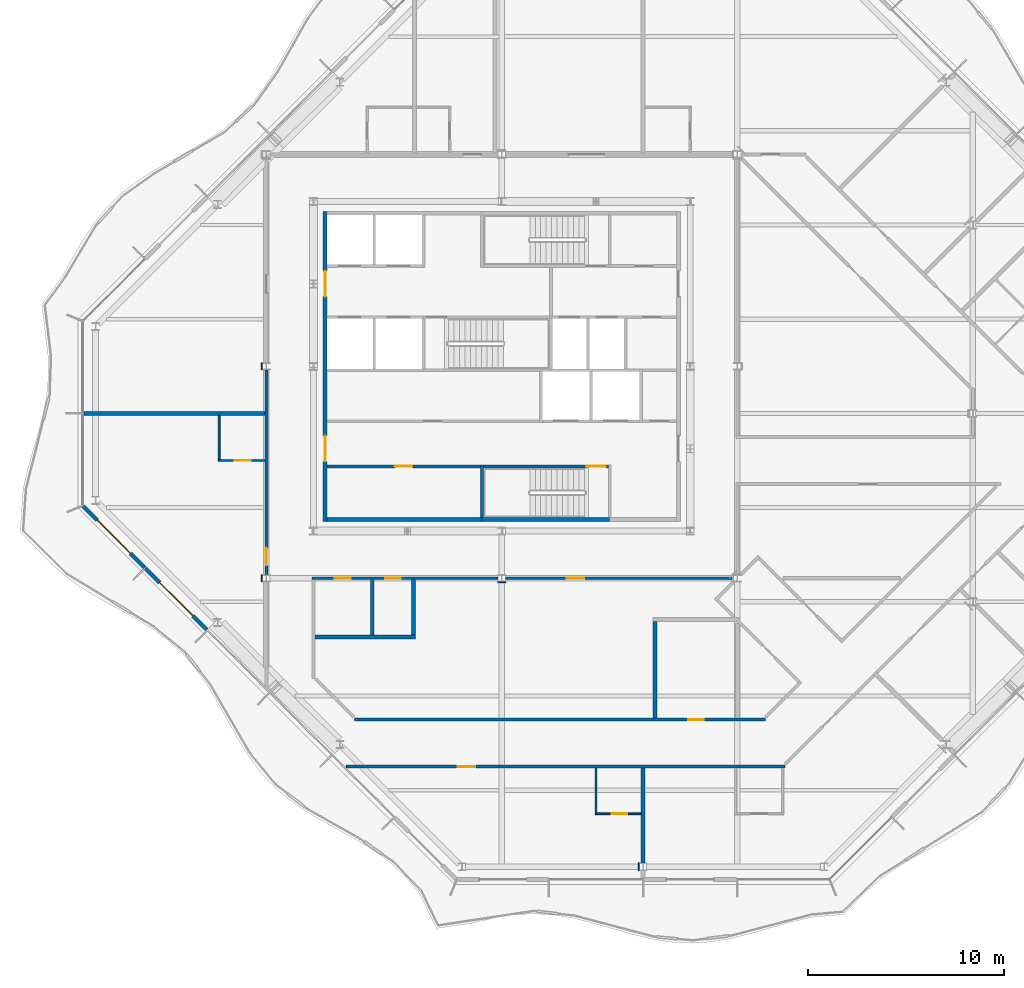
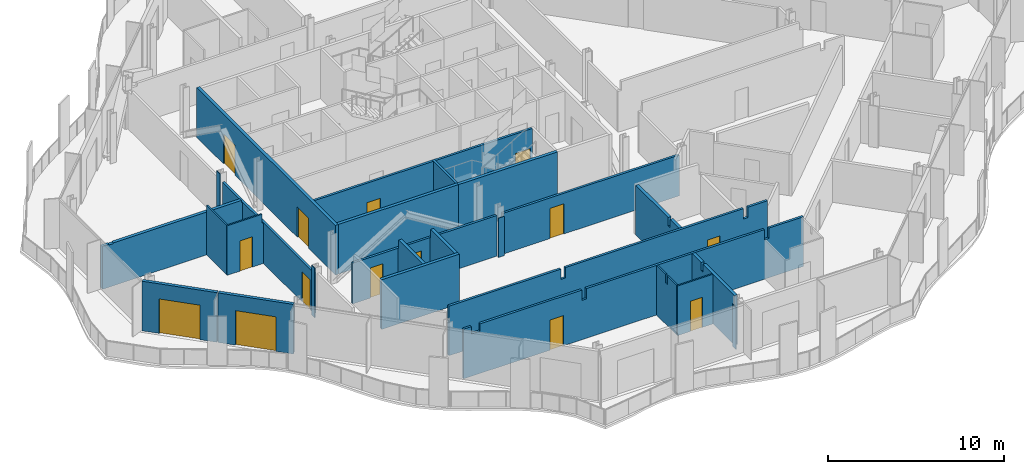
# One storey, part 7 of 17: 27 walls, 14 doors, 14 openings.
"""IFC4 building model written with IfcOpenShell, lengths in metres."""

from ifc_helpers import new_model, si_unit, direction, frame, frame_2d, origin, place, context, subcontext, project, spatial, polyline, rectangle, outline, extrude, material, layer, layer_set, type_object, element, fill, save


model = new_model("IFC4")

# Units and contexts
model_context = context("Model", 3, precision=1e-05, world=origin(), true_north=direction((0.0, 1.0)))
body_context = subcontext(model_context, "Body", "Model", "MODEL_VIEW")
ifc_project = project(units=[si_unit("LENGTHUNIT", "METRE"), si_unit("AREAUNIT", "SQUARE_METRE"), si_unit("VOLUMEUNIT", "CUBIC_METRE"), si_unit("PLANEANGLEUNIT", "RADIAN"), si_unit("MASSUNIT", "GRAM", prefix="KILO")], contexts=[model_context])

# Site, building, storey
site_placement = place(None, origin())
site = spatial("IfcSite", under=ifc_project, at=site_placement, CompositionType="ELEMENT")
building_placement = place(site_placement, origin())
building = spatial("IfcBuilding", under=site, at=building_placement, Name="Cairn Pilgrim Tower", CompositionType="ELEMENT")
storey_placement = place(building_placement, frame((0.0, 0.0, 235.800048828125)))
storey = spatial("IfcBuildingStorey", under=building, at=storey_placement, Name="L60", CompositionType="ELEMENT", Elevation=235.800048828125)

# Wall, opening, door
ifc_material_1 = material(Name="Bronze anodised aluminium insulated sandwich panel with mineral wool fill", Category="aluminium")
ifc_layer_1 = layer(ifc_material_1, 0.199951171875)
ifc_layer_set_1 = layer_set([ifc_layer_1], Name="BRONZE INFILL FRAME WALL 200")
wall_type_1 = type_object("IfcWallType", Name="BRONZE INFILL FRAME WALL 200", PredefinedType="NOTDEFINED", material=ifc_layer_set_1)
wall_1_placement = place(storey_placement, frame((-14.121826171875, -4.724609375, 0.0), z_axis=(0.0, 0.0, 1.0), x_axis=(0.707106781187, -0.707106781187, 0.0)))
wall_1 = element("IfcWall", 1, at=wall_1_placement, inside=storey, type_object=wall_type_1, Name="Bronze infill frame wall IW-SW1", PredefinedType="NOTDEFINED", context=body_context, shape_type="SweptSolid", body=[
    extrude(rectangle(XDim=4.421142578125, YDim=0.199951171875, at=frame_2d((2.21044921875, 0.0))), origin(), (0.0, 0.0, 1.0), 3.449951171875),
])
opening_1_placement = place(wall_1_placement, frame((1.00537109375, 0.0, 0.0)))
opening_1 = element("IfcOpeningElement", 2, at=opening_1_placement, cuts=wall_1, Name="Opening 6012B2", PredefinedType="OPENING", context=body_context, shape_type="SweptSolid", body=[
    extrude(rectangle(XDim=2.39990234375, YDim=2.39990234375, at=frame_2d((1.199951171875, 1.199951171875))), frame((0.0, 0.10986328125, 0.0), z_axis=(0.0, -1.0, 0.0), x_axis=(1.0, 0.0, 0.0)), (0.0, 0.0, 1.0), 0.219970703125),
])
ifc_material_2 = material(Name="Bronze anodised aluminium frame with tinted low-E glass", Category="aluminium")
door_type_1 = type_object("IfcDoorType", Name="BALCONY SLIDING DOOR 2400x2400", OperationType="DOUBLE_DOOR_SLIDING", PredefinedType="DOOR", material=ifc_material_2)
door_1_placement = place(opening_1_placement, origin())
door_1 = element("IfcDoor", 3, at=door_1_placement, inside=storey, type_object=door_type_1, Name="Balcony sliding door 6012B2", OperationType="SINGLE_SWING_LEFT", OverallHeight=2.39990234375, OverallWidth=2.39990234375, PredefinedType="DOOR", context=body_context, shape_type="SweptSolid", body=[
    extrude(rectangle(XDim=2.39990234375, YDim=2.39990234375, at=frame_2d((1.199951171875, 1.199951171875))), frame((0.0, 0.02490234375, 0.0), z_axis=(0.0, -1.0, 0.0), x_axis=(1.0, 0.0, 0.0)), (0.0, 0.0, 1.0), 0.050048828125),
])
fill(opening_1, door_1)

wall_2_placement = place(storey_placement, frame((-10.953125, -7.893310546875, 0.0), z_axis=(0.0, 0.0, 1.0), x_axis=(0.707106781187, -0.707106781187, 0.0)))
wall_2 = element("IfcWall", 4, at=wall_2_placement, inside=storey, type_object=wall_type_1, Name="Bronze infill frame wall IW-SW2", PredefinedType="NOTDEFINED", context=body_context, shape_type="SweptSolid", body=[
    extrude(rectangle(XDim=4.430908203125, YDim=0.199951171875, at=frame_2d((2.21533203125, 0.0))), origin(), (0.0, 0.0, 1.0), 3.449951171875),
])
opening_2_placement = place(wall_2_placement, frame((1.015380859375, 0.0, 0.0)))
opening_2 = element("IfcOpeningElement", 5, at=opening_2_placement, cuts=wall_2, Name="Opening 6012B", PredefinedType="OPENING", context=body_context, shape_type="SweptSolid", body=[
    extrude(rectangle(XDim=2.39990234375, YDim=2.39990234375, at=frame_2d((1.199951171875, 1.199951171875))), frame((0.0, 0.10986328125, 0.0), z_axis=(0.0, -1.0, 0.0), x_axis=(1.0, 0.0, 0.0)), (0.0, 0.0, 1.0), 0.219970703125),
])
door_2_placement = place(opening_2_placement, origin())
door_2 = element("IfcDoor", 6, at=door_2_placement, inside=storey, type_object=door_type_1, Name="Balcony sliding door 6012B", OperationType="SINGLE_SWING_LEFT", OverallHeight=2.39990234375, OverallWidth=2.39990234375, PredefinedType="DOOR", context=body_context, shape_type="SweptSolid", body=[
    extrude(rectangle(XDim=2.39990234375, YDim=2.39990234375, at=frame_2d((1.199951171875, 1.199951171875))), frame((0.0, 0.02490234375, 0.0), z_axis=(0.0, -1.0, 0.0), x_axis=(1.0, 0.0, 0.0)), (0.0, 0.0, 1.0), 0.050048828125),
])
fill(opening_2, door_2)

# Wall
ifc_material_3 = material(Name="Concrete C32/40", Category="concrete")
ifc_layer_2 = layer(ifc_material_3, 0.199951171875)
ifc_layer_set_2 = layer_set([ifc_layer_2], Name="CORE OUTER WALL 200 EI 120")
wall_type_2 = type_object("IfcWallType", Name="CORE OUTER WALL 200 EI 120", PredefinedType="SOLIDWALL", material=ifc_layer_set_2)
wall_3_placement = place(storey_placement, frame((-1.699951171875, -5.39990234375, 0.0), z_axis=(0.0, 0.0, 1.0), x_axis=(1.0, 0.0, 0.0)))
element("IfcWall", 7, at=wall_3_placement, inside=storey, type_object=wall_type_2, Name="CW:L60:H01-1", PredefinedType="SOLIDWALL", context=body_context, shape_type="SweptSolid", body=[
    extrude(rectangle(XDim=7.89990234375, YDim=0.199951171875, at=frame_2d((3.949951171875, 0.0))), origin(), (0.0, 0.0, 1.0), 3.449951171875),
])

# Wall, openings, doors
wall_4_placement = place(storey_placement, frame((-1.800048828125, -5.5, 0.0), z_axis=(0.0, 0.0, 1.0), x_axis=(0.0, 1.0, 0.0)))
wall_4 = element("IfcWall", 8, at=wall_4_placement, inside=storey, type_object=wall_type_2, Name="CW:L60:V13", PredefinedType="SOLIDWALL", context=body_context, shape_type="SweptSolid", body=[
    extrude(rectangle(XDim=15.800048828125, YDim=0.199951171875, at=frame_2d((7.89990234375, 0.0))), origin(), (0.0, 0.0, 1.0), 3.449951171875),
])
opening_3_placement = place(wall_4_placement, frame((3.050048828125, 0.0, 0.0)))
opening_3 = element("IfcOpeningElement", 9, at=opening_3_placement, cuts=wall_4, Name="Opening CD-W1", PredefinedType="OPENING", context=body_context, shape_type="SweptSolid", body=[
    extrude(rectangle(XDim=1.300048828125, YDim=2.10009765625, at=frame_2d((0.64990234375, 1.050048828125))), frame((0.0, 0.10986328125, 0.0), z_axis=(0.0, -1.0, 0.0), x_axis=(1.0, 0.0, 0.0)), (0.0, 0.0, 1.0), 0.219970703125),
])
opening_4_placement = place(wall_4_placement, frame((11.449951171875, 0.0, 0.0)))
opening_4 = element("IfcOpeningElement", 10, at=opening_4_placement, cuts=wall_4, Name="Opening CD-W2", PredefinedType="OPENING", context=body_context, shape_type="SweptSolid", body=[
    extrude(rectangle(XDim=1.300048828125, YDim=2.10009765625, at=frame_2d((0.64990234375, 1.050048828125))), frame((0.0, 0.10986328125, 0.0), z_axis=(0.0, -1.0, 0.0), x_axis=(1.0, 0.0, 0.0)), (0.0, 0.0, 1.0), 0.219970703125),
])
ifc_material_4 = material(Name="Painted steel", Category="steel")
door_type_2 = type_object("IfcDoorType", Name="CORE LOBBY DOOR 1300x2100", OperationType="DOUBLE_DOOR_SINGLE_SWING", PredefinedType="DOOR", material=ifc_material_4)
door_3_placement = place(opening_3_placement, origin())
door_3 = element("IfcDoor", 11, at=door_3_placement, inside=storey, type_object=door_type_2, Name="CD-W1", OperationType="DOUBLE_DOOR_SINGLE_SWING", OverallHeight=2.10009765625, OverallWidth=1.300048828125, PredefinedType="DOOR", context=body_context, shape_type="SweptSolid", body=[
    extrude(rectangle(XDim=1.300048828125, YDim=2.10009765625, at=frame_2d((0.64990234375, 1.050048828125))), frame((0.0, 0.02490234375, 0.0), z_axis=(0.0, -1.0, 0.0), x_axis=(1.0, 0.0, 0.0)), (0.0, 0.0, 1.0), 0.050048828125),
])
fill(opening_3, door_3)
door_4_placement = place(opening_4_placement, origin())
door_4 = element("IfcDoor", 12, at=door_4_placement, inside=storey, type_object=door_type_2, Name="CD-W2", OperationType="DOUBLE_DOOR_SINGLE_SWING", OverallHeight=2.10009765625, OverallWidth=1.300048828125, PredefinedType="DOOR", context=body_context, shape_type="SweptSolid", body=[
    extrude(rectangle(XDim=1.300048828125, YDim=2.10009765625, at=frame_2d((0.64990234375, 1.050048828125))), frame((0.0, 0.02490234375, 0.0), z_axis=(0.0, -1.0, 0.0), x_axis=(1.0, 0.0, 0.0)), (0.0, 0.0, 1.0), 0.050048828125),
])
fill(opening_4, door_4)

# Wall, opening, door
ifc_layer_3 = layer(ifc_material_3, 0.14990234375)
ifc_layer_set_3 = layer_set([ifc_layer_3], Name="CORE PARTITION 150 EI 60")
wall_type_3 = type_object("IfcWallType", Name="CORE PARTITION 150 EI 60", PredefinedType="PARTITIONING", material=ifc_layer_set_3)
wall_5_placement = place(storey_placement, frame((-1.699951171875, -2.699951171875, 0.0), z_axis=(0.0, 0.0, 1.0), x_axis=(1.0, 0.0, 0.0)))
wall_5 = element("IfcWall", 13, at=wall_5_placement, inside=storey, type_object=wall_type_3, Name="CW:L60:H02", PredefinedType="PARTITIONING", context=body_context, shape_type="SweptSolid", body=[
    extrude(rectangle(XDim=7.824951171875, YDim=0.14990234375, at=frame_2d((3.91259765625, 0.0))), origin(), (0.0, 0.0, 1.0), 3.449951171875),
])
opening_5_placement = place(wall_5_placement, frame((3.449951171875, 0.0, 0.0)))
opening_5 = element("IfcOpeningElement", 14, at=opening_5_placement, cuts=wall_5, Name="Opening RD-R1W1", PredefinedType="OPENING", context=body_context, shape_type="SweptSolid", body=[
    extrude(rectangle(XDim=0.89990234375, YDim=2.10009765625, at=frame_2d((0.449951171875, 1.050048828125))), frame((0.0, 0.0849609375, 0.0), z_axis=(0.0, -1.0, 0.0), x_axis=(1.0, 0.0, 0.0)), (0.0, 0.0, 1.0), 0.169921875),
])
door_type_3 = type_object("IfcDoorType", Name="SERVICE ROOM DOOR 900x2100", OperationType="SINGLE_SWING_LEFT", PredefinedType="DOOR", material=ifc_material_4)
door_5_placement = place(opening_5_placement, origin())
door_5 = element("IfcDoor", 15, at=door_5_placement, inside=storey, type_object=door_type_3, Name="RD-R1W1", OperationType="SINGLE_SWING_LEFT", OverallHeight=2.10009765625, OverallWidth=0.89990234375, PredefinedType="DOOR", context=body_context, shape_type="SweptSolid", body=[
    extrude(rectangle(XDim=0.89990234375, YDim=2.10009765625, at=frame_2d((0.449951171875, 1.050048828125))), frame((0.0, 0.02490234375, 0.0), z_axis=(0.0, -1.0, 0.0), x_axis=(1.0, 0.0, 0.0)), (0.0, 0.0, 1.0), 0.050048828125),
])
fill(opening_5, door_5)

ifc_material_5 = material(Name="Gypsum partition")
ifc_layer_4 = layer(ifc_material_5, 0.10009765625)
ifc_layer_set_4 = layer_set([ifc_layer_4], Name="PARTITION 100 DRYWALL")
wall_type_4 = type_object("IfcWallType", Name="PARTITION 100 DRYWALL", PredefinedType="PARTITIONING", material=ifc_layer_set_4)
wall_6_placement = place(storey_placement, frame((11.949951171875, -20.39990234375, 0.0), z_axis=(0.0, 0.0, 1.0), x_axis=(1.0, 0.0, 0.0)))
wall_6 = element("IfcWall", 16, at=wall_6_placement, inside=storey, type_object=wall_type_4, Name="PARTITION W003", PredefinedType="PARTITIONING", context=body_context, shape_type="SweptSolid", body=[
    extrude(rectangle(XDim=2.35009765625, YDim=0.10009765625, at=frame_2d((1.175048828125, 0.0))), origin(), (0.0, 0.0, 1.0), 3.449951171875),
])
opening_6_placement = place(wall_6_placement, frame((0.85009765625, 0.0, 0.0)))
opening_6 = element("IfcOpeningElement", 17, at=opening_6_placement, cuts=wall_6, Name="Opening 6013A", PredefinedType="OPENING", context=body_context, shape_type="SweptSolid", body=[
    extrude(rectangle(XDim=0.800048828125, YDim=2.10009765625, at=frame_2d((0.39990234375, 1.050048828125))), frame((0.0, 0.06005859375, 0.0), z_axis=(0.0, -1.0, 0.0), x_axis=(1.0, 0.0, 0.0)), (0.0, 0.0, 1.0), 0.1201171875),
])
ifc_material_6 = material(Name="Timber door leaf", Category="wood")
door_type_4 = type_object("IfcDoorType", Name="WC DOOR 800x2100", OperationType="NOTDEFINED", PredefinedType="DOOR", material=ifc_material_6)
door_6_placement = place(opening_6_placement, frame((0.800048828125, 0.0, 0.0), z_axis=(0.0, 0.0, 1.0), x_axis=(-1.0, 0.0, 0.0)))
door_6 = element("IfcDoor", 18, at=door_6_placement, inside=storey, type_object=door_type_4, Name="DOOR 6013A", OperationType="SINGLE_SWING_LEFT", OverallHeight=2.10009765625, OverallWidth=0.800048828125, PredefinedType="DOOR", context=body_context, shape_type="SweptSolid", body=[
    extrude(rectangle(XDim=0.800048828125, YDim=2.10009765625, at=frame_2d((0.39990234375, 1.050048828125))), frame((0.0, 0.02490234375, 0.0), z_axis=(0.0, -1.0, 0.0), x_axis=(1.0, 0.0, 0.0)), (0.0, 0.0, 1.0), 0.050048828125),
])
fill(opening_6, door_6)

# Wall
wall_7_placement = place(storey_placement, frame((12.0, -20.35009765625, 0.0), z_axis=(0.0, 0.0, 1.0), x_axis=(0.0, 1.0, 0.0)))
element("IfcWall", 19, at=wall_7_placement, inside=storey, type_object=wall_type_4, Name="PARTITION W004", PredefinedType="PARTITIONING", context=body_context, shape_type="SweptSolid", body=[
    extrude(outline(polyline([(0.0, 0.0), (2.275146484375, 0.0), (2.27490234375, 3.449951171875), (1.2548828125, 3.449951171875), (1.2529296875, 2.8798828125), (1.044921875, 2.8798828125), (1.04296875, 3.449951171875), (0.0, 3.449951171875), (0.0, 0.0)])), frame((0.0, 0.050048828125, 0.0), z_axis=(0.0, -1.0, 0.0), x_axis=(1.0, 0.0, 0.0)), (0.0, 0.0, 1.0), 0.10009765625),
])

# Wall, opening, door
wall_8_placement = place(storey_placement, frame((-7.25, -2.39990234375, 0.0), z_axis=(0.0, 0.0, 1.0), x_axis=(1.0, 0.0, 0.0)))
wall_8 = element("IfcWall", 20, at=wall_8_placement, inside=storey, type_object=wall_type_4, Name="PARTITION W047", PredefinedType="PARTITIONING", context=body_context, shape_type="SweptSolid", body=[
    extrude(outline(polyline([(0.0, 0.0), (2.375, 0.0), (2.375, 2.829833984375), (2.300048828125, 2.829833984375), (2.298095703125, 3.449951171875), (0.0, 3.449951171875), (0.0, 0.0)])), frame((0.0, 0.050048828125, 0.0), z_axis=(0.0, -1.0, 0.0), x_axis=(1.0, 0.0, 0.0)), (0.0, 0.0, 1.0), 0.10009765625),
])
opening_7_placement = place(wall_8_placement, frame((0.85009765625, 0.0, 0.0)))
opening_7 = element("IfcOpeningElement", 21, at=opening_7_placement, cuts=wall_8, Name="Opening 6012A", PredefinedType="OPENING", context=body_context, shape_type="SweptSolid", body=[
    extrude(rectangle(XDim=0.800048828125, YDim=2.10009765625, at=frame_2d((0.39990234375, 1.050048828125))), frame((0.0, 0.06005859375, 0.0), z_axis=(0.0, -1.0, 0.0), x_axis=(1.0, 0.0, 0.0)), (0.0, 0.0, 1.0), 0.1201171875),
])
door_7_placement = place(opening_7_placement, frame((0.800048828125, 0.0, 0.0), z_axis=(0.0, 0.0, 1.0), x_axis=(-1.0, 0.0, 0.0)))
door_7 = element("IfcDoor", 22, at=door_7_placement, inside=storey, type_object=door_type_4, Name="DOOR 6012A", OperationType="SINGLE_SWING_LEFT", OverallHeight=2.10009765625, OverallWidth=0.800048828125, PredefinedType="DOOR", context=body_context, shape_type="SweptSolid", body=[
    extrude(rectangle(XDim=0.800048828125, YDim=2.10009765625, at=frame_2d((0.39990234375, 1.050048828125))), frame((0.0, 0.02490234375, 0.0), z_axis=(0.0, -1.0, 0.0), x_axis=(1.0, 0.0, 0.0)), (0.0, 0.0, 1.0), 0.050048828125),
])
fill(opening_7, door_7)

# Wall
wall_9_placement = place(storey_placement, frame((-7.199951171875, -2.35009765625, 0.0), z_axis=(0.0, 0.0, 1.0), x_axis=(0.0, 1.0, 0.0)))
element("IfcWall", 23, at=wall_9_placement, inside=storey, type_object=wall_type_4, Name="PARTITION W048", PredefinedType="PARTITIONING", context=body_context, shape_type="SweptSolid", body=[
    extrude(rectangle(XDim=2.25, YDim=0.10009765625, at=frame_2d((1.125, 0.0))), origin(), (0.0, 0.0, 1.0), 3.449951171875),
])

# Wall, opening, door
ifc_layer_5 = layer(ifc_material_5, 0.14990234375)
ifc_layer_set_5 = layer_set([ifc_layer_5], Name="PARTITION 150 DRYWALL EI 60")
wall_type_5 = type_object("IfcWallType", Name="PARTITION 150 DRYWALL EI 60", PredefinedType="PARTITIONING", material=ifc_layer_set_5)
wall_10_placement = place(storey_placement, frame((-0.72607421875, -18.0, 0.0), z_axis=(0.0, 0.0, 1.0), x_axis=(1.0, 0.0, 0.0)))
wall_10 = element("IfcWall", 24, at=wall_10_placement, inside=storey, type_object=wall_type_5, Name="PARTITION W008", PredefinedType="PARTITIONING", context=body_context, shape_type="SweptSolid", body=[
    extrude(outline(polyline([(0.0, 0.0), (22.34716796875, 0.0), (22.34716796875, 3.449951171875), (20.076171875, 3.449951171875), (20.07421875, 2.72998046875), (19.776123046875, 2.72998046875), (19.774169921875, 3.449951171875), (8.076171875, 3.449951171875), (8.07421875, 2.72998046875), (7.776123046875, 2.72998046875), (7.774169921875, 3.449951171875), (1.0859375, 3.449951171875), (1.083984375, 2.929931640625), (0.51171875, 2.929931640625), (0.509765625, 3.449951171875), (0.0, 3.449951171875), (0.0, 0.0)])), frame((0.0, 0.074951171875, 0.0), z_axis=(0.0, -1.0, 0.0), x_axis=(1.0, 0.0, 0.0)), (0.0, 0.0, 1.0), 0.14990234375),
])
opening_8_placement = place(wall_10_placement, frame((5.676025390625, 0.0, 0.0)))
opening_8 = element("IfcOpeningElement", 25, at=opening_8_placement, cuts=wall_10, Name="Opening 6013", PredefinedType="OPENING", context=body_context, shape_type="SweptSolid", body=[
    extrude(rectangle(XDim=0.89990234375, YDim=2.10009765625, at=frame_2d((0.449951171875, 1.050048828125))), frame((0.0, 0.0849609375, 0.0), z_axis=(0.0, -1.0, 0.0), x_axis=(1.0, 0.0, 0.0)), (0.0, 0.0, 1.0), 0.169921875),
])
door_type_5 = type_object("IfcDoorType", Name="ROOM DOOR 900x2100 FD30S", OperationType="NOTDEFINED", PredefinedType="DOOR", material=ifc_material_6)
door_8_placement = place(opening_8_placement, frame((0.89990234375, 0.0, 0.0), z_axis=(0.0, 0.0, 1.0), x_axis=(-1.0, 0.0, 0.0)))
door_8 = element("IfcDoor", 26, at=door_8_placement, inside=storey, type_object=door_type_5, Name="DOOR 6013", OperationType="SINGLE_SWING_LEFT", OverallHeight=2.10009765625, OverallWidth=0.89990234375, PredefinedType="DOOR", context=body_context, shape_type="SweptSolid", body=[
    extrude(rectangle(XDim=0.89990234375, YDim=2.10009765625, at=frame_2d((0.449951171875, 1.050048828125))), frame((0.0, 0.02490234375, 0.0), z_axis=(0.0, -1.0, 0.0), x_axis=(1.0, 0.0, 0.0)), (0.0, 0.0, 1.0), 0.050048828125),
])
fill(opening_8, door_8)

wall_11_placement = place(storey_placement, frame((-0.31201171875, -15.60009765625, 0.0), z_axis=(0.0, 0.0, 1.0), x_axis=(1.0, 0.0, 0.0)))
wall_11 = element("IfcWall", 27, at=wall_11_placement, inside=storey, type_object=wall_type_5, Name="PARTITION W012", PredefinedType="PARTITIONING", context=body_context, shape_type="SweptSolid", body=[
    extrude(outline(polyline([(0.0, 0.0), (20.93896484375, 0.0), (20.939208984375, 3.449951171875), (19.662109375, 3.449951171875), (19.66015625, 2.72998046875), (19.362060546875, 2.72998046875), (19.360107421875, 3.449951171875), (7.662109375, 3.449951171875), (7.66015625, 2.72998046875), (7.362060546875, 2.72998046875), (7.360107421875, 3.449951171875), (0.0, 3.449951171875), (0.0, 0.0)])), frame((0.0, 0.074951171875, 0.0), z_axis=(0.0, -1.0, 0.0), x_axis=(1.0, 0.0, 0.0)), (0.0, 0.0, 1.0), 0.14990234375),
])
opening_9_placement = place(wall_11_placement, frame((17.011962890625, 0.0, 0.0)))
opening_9 = element("IfcOpeningElement", 28, at=opening_9_placement, cuts=wall_11, Name="Opening 6016", PredefinedType="OPENING", context=body_context, shape_type="SweptSolid", body=[
    extrude(rectangle(XDim=0.800048828125, YDim=2.10009765625, at=frame_2d((0.39990234375, 1.050048828125))), frame((0.0, 0.0849609375, 0.0), z_axis=(0.0, -1.0, 0.0), x_axis=(1.0, 0.0, 0.0)), (0.0, 0.0, 1.0), 0.169921875),
])
door_type_6 = type_object("IfcDoorType", Name="WC DOOR 800x2100 FD30S", OperationType="NOTDEFINED", PredefinedType="DOOR", material=ifc_material_6)
door_9_placement = place(opening_9_placement, origin())
door_9 = element("IfcDoor", 29, at=door_9_placement, inside=storey, type_object=door_type_6, Name="DOOR 6016", OperationType="SINGLE_SWING_LEFT", OverallHeight=2.10009765625, OverallWidth=0.800048828125, PredefinedType="DOOR", context=body_context, shape_type="SweptSolid", body=[
    extrude(rectangle(XDim=0.800048828125, YDim=2.10009765625, at=frame_2d((0.39990234375, 1.050048828125))), frame((0.0, 0.02490234375, 0.0), z_axis=(0.0, -1.0, 0.0), x_axis=(1.0, 0.0, 0.0)), (0.0, 0.0, 1.0), 0.050048828125),
])
fill(opening_9, door_9)

# Wall, openings, doors
wall_12_placement = place(storey_placement, frame((-2.47509765625, -8.39990234375, 0.0), z_axis=(0.0, 0.0, 1.0), x_axis=(1.0, 0.0, 0.0)))
wall_12 = element("IfcWall", 30, at=wall_12_placement, inside=storey, type_object=wall_type_5, Name="PARTITION W034", PredefinedType="PARTITIONING", context=body_context, shape_type="SweptSolid", body=[
    extrude(rectangle(XDim=9.47802734375, YDim=0.14990234375, at=frame_2d((4.739013671875, 0.0))), origin(), (0.0, 0.0, 1.0), 2.829833984375),
])
opening_10_placement = place(wall_12_placement, frame((1.175048828125, 0.0, 0.0)))
opening_10 = element("IfcOpeningElement", 31, at=opening_10_placement, cuts=wall_12, Name="Opening 6014", PredefinedType="OPENING", context=body_context, shape_type="SweptSolid", body=[
    extrude(rectangle(XDim=0.800048828125, YDim=2.10009765625, at=frame_2d((0.39990234375, 1.050048828125))), frame((0.0, 0.0849609375, 0.0), z_axis=(0.0, -1.0, 0.0), x_axis=(1.0, 0.0, 0.0)), (0.0, 0.0, 1.0), 0.169921875),
])
opening_11_placement = place(wall_12_placement, frame((3.72509765625, 0.0, 0.0)))
opening_11 = element("IfcOpeningElement", 32, at=opening_11_placement, cuts=wall_12, Name="Opening 6015", PredefinedType="OPENING", context=body_context, shape_type="SweptSolid", body=[
    extrude(rectangle(XDim=0.800048828125, YDim=2.10009765625, at=frame_2d((0.39990234375, 1.050048828125))), frame((0.0, 0.0849609375, 0.0), z_axis=(0.0, -1.0, 0.0), x_axis=(1.0, 0.0, 0.0)), (0.0, 0.0, 1.0), 0.169921875),
])
door_10_placement = place(opening_10_placement, frame((0.800048828125, 0.0, 0.0), z_axis=(0.0, 0.0, 1.0), x_axis=(-1.0, 0.0, 0.0)))
door_10 = element("IfcDoor", 33, at=door_10_placement, inside=storey, type_object=door_type_6, Name="DOOR 6014", OperationType="SINGLE_SWING_LEFT", OverallHeight=2.10009765625, OverallWidth=0.800048828125, PredefinedType="DOOR", context=body_context, shape_type="SweptSolid", body=[
    extrude(rectangle(XDim=0.800048828125, YDim=2.10009765625, at=frame_2d((0.39990234375, 1.050048828125))), frame((0.0, 0.02490234375, 0.0), z_axis=(0.0, -1.0, 0.0), x_axis=(1.0, 0.0, 0.0)), (0.0, 0.0, 1.0), 0.050048828125),
])
fill(opening_10, door_10)
door_11_placement = place(opening_11_placement, frame((0.800048828125, 0.0, 0.0), z_axis=(0.0, 0.0, 1.0), x_axis=(-1.0, 0.0, 0.0)))
door_11 = element("IfcDoor", 34, at=door_11_placement, inside=storey, type_object=door_type_6, Name="DOOR 6015", OperationType="SINGLE_SWING_LEFT", OverallHeight=2.10009765625, OverallWidth=0.800048828125, PredefinedType="DOOR", context=body_context, shape_type="SweptSolid", body=[
    extrude(rectangle(XDim=0.800048828125, YDim=2.10009765625, at=frame_2d((0.39990234375, 1.050048828125))), frame((0.0, 0.02490234375, 0.0), z_axis=(0.0, -1.0, 0.0), x_axis=(1.0, 0.0, 0.0)), (0.0, 0.0, 1.0), 0.050048828125),
])
fill(opening_11, door_11)

# Wall, opening, door
wall_13_placement = place(storey_placement, frame((7.39697265625, -8.39990234375, 0.0), z_axis=(0.0, 0.0, 1.0), x_axis=(1.0, 0.0, 0.0)))
wall_13 = element("IfcWall", 35, at=wall_13_placement, inside=storey, type_object=wall_type_5, Name="PARTITION W035", PredefinedType="PARTITIONING", context=body_context, shape_type="SweptSolid", body=[
    extrude(rectangle(XDim=11.60595703125, YDim=0.14990234375, at=frame_2d((5.802978515625, 0.0))), origin(), (0.0, 0.0, 1.0), 2.829833984375),
])
opening_12_placement = place(wall_13_placement, frame((3.10302734375, 0.0, 0.0)))
opening_12 = element("IfcOpeningElement", 36, at=opening_12_placement, cuts=wall_13, Name="Opening 6021", PredefinedType="OPENING", context=body_context, shape_type="SweptSolid", body=[
    extrude(rectangle(XDim=0.89990234375, YDim=2.10009765625, at=frame_2d((0.449951171875, 1.050048828125))), frame((0.0, 0.0849609375, 0.0), z_axis=(0.0, -1.0, 0.0), x_axis=(1.0, 0.0, 0.0)), (0.0, 0.0, 1.0), 0.169921875),
])
door_type_7 = type_object("IfcDoorType", Name="SERVICE DOOR 900x2100 FD30S", OperationType="NOTDEFINED", PredefinedType="DOOR", material=ifc_material_6)
door_12_placement = place(opening_12_placement, frame((0.89990234375, 0.0, 0.0), z_axis=(0.0, 0.0, 1.0), x_axis=(-1.0, 0.0, 0.0)))
door_12 = element("IfcDoor", 37, at=door_12_placement, inside=storey, type_object=door_type_7, Name="DOOR 6021", OperationType="SINGLE_SWING_RIGHT", OverallHeight=2.10009765625, OverallWidth=0.89990234375, PredefinedType="DOOR", context=body_context, shape_type="SweptSolid", body=[
    extrude(rectangle(XDim=0.89990234375, YDim=2.10009765625, at=frame_2d((0.449951171875, 1.050048828125))), frame((0.0, 0.02490234375, 0.0), z_axis=(0.0, -1.0, 0.0), x_axis=(1.0, 0.0, 0.0)), (0.0, 0.0, 1.0), 0.050048828125),
])
fill(opening_12, door_12)

wall_14_placement = place(storey_placement, frame((-4.800048828125, -8.21240234375, 0.0), z_axis=(0.0, 0.0, 1.0), x_axis=(0.0, 1.0, 0.0)))
wall_14 = element("IfcWall", 38, at=wall_14_placement, inside=storey, type_object=wall_type_5, Name="PARTITION W038", PredefinedType="PARTITIONING", context=body_context, shape_type="SweptSolid", body=[
    extrude(rectangle(XDim=10.4248046875, YDim=0.14990234375, at=frame_2d((5.21240234375, 0.0))), origin(), (0.0, 0.0, 1.0), 2.829833984375),
])
opening_13_placement = place(wall_14_placement, frame((0.46240234375, 0.0, 0.0)))
opening_13 = element("IfcOpeningElement", 39, at=opening_13_placement, cuts=wall_14, Name="Opening 6012", PredefinedType="OPENING", context=body_context, shape_type="SweptSolid", body=[
    extrude(rectangle(XDim=0.89990234375, YDim=2.10009765625, at=frame_2d((0.449951171875, 1.050048828125))), frame((0.0, 0.0849609375, 0.0), z_axis=(0.0, -1.0, 0.0), x_axis=(1.0, 0.0, 0.0)), (0.0, 0.0, 1.0), 0.169921875),
])
door_13_placement = place(opening_13_placement, origin())
door_13 = element("IfcDoor", 40, at=door_13_placement, inside=storey, type_object=door_type_5, Name="DOOR 6012", OperationType="SINGLE_SWING_LEFT", OverallHeight=2.10009765625, OverallWidth=0.89990234375, PredefinedType="DOOR", context=body_context, shape_type="SweptSolid", body=[
    extrude(rectangle(XDim=0.89990234375, YDim=2.10009765625, at=frame_2d((0.449951171875, 1.050048828125))), frame((0.0, 0.02490234375, 0.0), z_axis=(0.0, -1.0, 0.0), x_axis=(1.0, 0.0, 0.0)), (0.0, 0.0, 1.0), 0.050048828125),
])
fill(opening_13, door_13)

# Walls
ifc_layer_6 = layer(ifc_material_5, 0.050048828125)
ifc_layer_set_6 = layer_set([ifc_layer_6], Name="PARTITION 50 DRYWALL EI 60")
wall_type_6 = type_object("IfcWallType", Name="PARTITION 50 DRYWALL EI 60", PredefinedType="PARTITIONING", material=ifc_layer_set_6)
wall_15_placement = place(storey_placement, frame((14.173095703125, -23.303466796875, 0.0), z_axis=(0.0, 0.0, 1.0), x_axis=(0.0, 1.0, 0.0)))
element("IfcWall", 41, at=wall_15_placement, inside=storey, type_object=wall_type_6, Name="COLUMN CASING WC01", PredefinedType="PARTITIONING", context=body_context, shape_type="SweptSolid", body=[
    extrude(rectangle(XDim=0.406982421875, YDim=0.050048828125, at=frame_2d((0.20361328125, 0.0))), origin(), (0.0, 0.0, 1.0), 2.929931640625),
])
for number, where, z_axis, x_axis, name in (
    (42, (-5.02197265625, -8.58740234375, 0.0), (0.0, 0.0, 1.0), (0.0, 1.0, 0.0), "COLUMN CASING WC03"),
    (43, (-5.02197265625, 2.21240234375, 0.0), (0.0, 0.0, 1.0), (0.0, 1.0, 0.0), "COLUMN CASING WC04"),
):
    element("IfcWall", number, at=place(storey_placement, frame(where, z_axis=z_axis, x_axis=x_axis)), inside=storey, type_object=wall_type_6, Name=name, PredefinedType="PARTITIONING", context=body_context, shape_type="SweptSolid", body=[
        extrude(rectangle(XDim=0.375, YDim=0.050048828125, at=frame_2d((0.1875, 0.0))), origin(), (0.0, 0.0, 1.0), 3.449951171875),
    ])
wall_16_placement = place(storey_placement, frame((7.0029296875, -8.612548828125, 0.0), z_axis=(0.0, 0.0, 1.0), x_axis=(1.0, 0.0, 0.0)))
element("IfcWall", 44, at=wall_16_placement, inside=storey, type_object=wall_type_6, Name="COLUMN CASING WC09", PredefinedType="PARTITIONING", context=body_context, shape_type="SweptSolid", body=[
    extrude(rectangle(XDim=0.39404296875, YDim=0.050048828125, at=frame_2d((0.197021484375, 0.0))), origin(), (0.0, 0.0, 1.0), 2.72998046875),
])
ifc_layer_7 = layer(ifc_material_5, 0.199951171875)
ifc_layer_set_7 = layer_set([ifc_layer_7], Name="SHAFT WALL 200 GYPSUM EI 60")
wall_type_7 = type_object("IfcWallType", Name="SHAFT WALL 200 GYPSUM EI 60", PredefinedType="PARTITIONING", material=ifc_layer_set_7)
wall_17_placement = place(storey_placement, frame((14.39990234375, -22.896484375, 0.0), z_axis=(0.0, 0.0, 1.0), x_axis=(0.0, 1.0, 0.0)))
element("IfcWall", 45, at=wall_17_placement, inside=storey, type_object=wall_type_7, Name="PARTITION W002", PredefinedType="PARTITIONING", context=body_context, shape_type="SweptSolid", body=[
    extrude(outline(polyline([(0.0, 0.0), (4.821533203125, 0.0), (4.821533203125, 3.449951171875), (3.801513671875, 3.449951171875), (3.799560546875, 2.8798828125), (3.591552734375, 2.8798828125), (3.589599609375, 3.449951171875), (0.0, 3.449951171875), (0.0, 0.0)])), frame((0.0, 0.10009765625, 0.0), z_axis=(0.0, -1.0, 0.0), x_axis=(1.0, 0.0, 0.0)), (0.0, 0.0, 1.0), 0.199951171875),
])
wall_18_placement = place(storey_placement, frame((15.0, -15.52490234375, 0.0), z_axis=(0.0, 0.0, 1.0), x_axis=(0.0, 1.0, 0.0)))
element("IfcWall", 46, at=wall_18_placement, inside=storey, type_object=wall_type_7, Name="PARTITION W014", PredefinedType="PARTITIONING", context=body_context, shape_type="SweptSolid", body=[
    extrude(outline(polyline([(0.0, 0.0), (4.9248046875, 0.0), (4.925048828125, 3.449951171875), (1.22998046875, 3.449951171875), (1.22802734375, 2.8798828125), (1.02001953125, 2.8798828125), (1.01806640625, 3.449951171875), (0.0, 3.449951171875), (0.0, 0.0)])), frame((0.0, 0.10009765625, 0.0), z_axis=(0.0, -1.0, 0.0), x_axis=(1.0, 0.0, 0.0)), (0.0, 0.0, 1.0), 0.199951171875),
])
wall_19_placement = place(storey_placement, frame((-2.324951171875, -11.39990234375, 0.0), z_axis=(0.0, 0.0, 1.0), x_axis=(1.0, 0.0, 0.0)))
element("IfcWall", 47, at=wall_19_placement, inside=storey, type_object=wall_type_7, Name="PARTITION W024", PredefinedType="PARTITIONING", context=body_context, shape_type="SweptSolid", body=[
    extrude(rectangle(XDim=5.125, YDim=0.199951171875, at=frame_2d((2.5625, 0.0))), origin(), (0.0, 0.0, 1.0), 3.449951171875),
])
for number, where, z_axis, x_axis, name in (
    (48, (0.60009765625, -11.300048828125, 0.0), (0.0, 0.0, 1.0), (0.0, 1.0, 0.0), "PARTITION W025"),
    (49, (2.699951171875, -11.300048828125, 0.0), (0.0, 0.0, 1.0), (0.0, 1.0, 0.0), "PARTITION W026"),
):
    element("IfcWall", number, at=place(storey_placement, frame(where, z_axis=z_axis, x_axis=x_axis)), inside=storey, type_object=wall_type_7, Name=name, PredefinedType="PARTITIONING", context=body_context, shape_type="SweptSolid", body=[
        extrude(outline(polyline([(0.0, 0.0), (2.824951171875, 0.0), (2.824951171875, 2.829833984375), (2.75, 2.829833984375), (2.748046875, 3.449951171875), (0.0, 3.449951171875), (0.0, 0.0)])), frame((0.0, 0.10009765625, 0.0), z_axis=(0.0, -1.0, 0.0), x_axis=(1.0, 0.0, 0.0)), (0.0, 0.0, 1.0), 0.199951171875),
    ])
wall_20_placement = place(storey_placement, frame((-14.090087890625, 0.0, 0.0), z_axis=(0.0, 0.0, 1.0), x_axis=(1.0, 0.0, 0.0)))
element("IfcWall", 50, at=wall_20_placement, inside=storey, type_object=wall_type_7, Name="PARTITION W054", PredefinedType="PARTITIONING", context=body_context, shape_type="SweptSolid", body=[
    extrude(outline(polyline([(0.0, 0.0), (9.215087890625, 0.0), (9.215087890625, 2.829833984375), (9.139892578125, 2.829833984375), (9.137939453125, 2.97998046875), (0.739990234375, 2.97998046875), (0.738037109375, 2.929931640625), (0.43994140625, 2.929931640625), (0.43798828125, 2.97998046875), (0.0, 2.97998046875), (0.0, 0.0)])), frame((0.0, 0.10009765625, 0.0), z_axis=(0.0, -1.0, 0.0), x_axis=(1.0, 0.0, 0.0)), (0.0, 0.0, 1.0), 0.199951171875),
])

# Wall, opening, door
ifc_material_7 = material(Name="Concrete C35/45", Category="concrete")
ifc_layer_8 = layer(ifc_material_7, 0.14990234375)
ifc_layer_set_8 = layer_set([ifc_layer_8], Name="STAIR SHAFT WALL 150 EI 120")
wall_type_8 = type_object("IfcWallType", Name="STAIR SHAFT WALL 150 EI 120", PredefinedType="SOLIDWALL", material=ifc_layer_set_8)
wall_21_placement = place(storey_placement, frame((6.27490234375, -2.699951171875, 0.0), z_axis=(0.0, 0.0, 1.0), x_axis=(1.0, 0.0, 0.0)))
wall_21 = element("IfcWall", 51, at=wall_21_placement, inside=storey, type_object=wall_type_8, Name="CW:L60:H03", PredefinedType="SOLIDWALL", context=body_context, shape_type="SweptSolid", body=[
    extrude(rectangle(XDim=6.35009765625, YDim=0.14990234375, at=frame_2d((3.175048828125, 0.0))), origin(), (0.0, 0.0, 1.0), 3.449951171875),
])
opening_14_placement = place(wall_21_placement, frame((5.22509765625, 0.0, 0.0)))
opening_14 = element("IfcOpeningElement", 52, at=opening_14_placement, cuts=wall_21, Name="Opening SD-A", PredefinedType="OPENING", context=body_context, shape_type="SweptSolid", body=[
    extrude(rectangle(XDim=1.0, YDim=2.10009765625, at=frame_2d((0.5, 1.050048828125))), frame((0.0, 0.0849609375, 0.0), z_axis=(0.0, -1.0, 0.0), x_axis=(1.0, 0.0, 0.0)), (0.0, 0.0, 1.0), 0.169921875),
])
door_type_8 = type_object("IfcDoorType", Name="STAIR DOOR FD60S 1000x2100", OperationType="SINGLE_SWING_LEFT", PredefinedType="DOOR", material=ifc_material_4)
door_14_placement = place(opening_14_placement, origin())
door_14 = element("IfcDoor", 53, at=door_14_placement, inside=storey, type_object=door_type_8, Name="SD-A", OperationType="SINGLE_SWING_LEFT", OverallHeight=2.10009765625, OverallWidth=1.0, PredefinedType="DOOR", context=body_context, shape_type="SweptSolid", body=[
    extrude(rectangle(XDim=1.0, YDim=2.10009765625, at=frame_2d((0.5, 1.050048828125))), frame((0.0, 0.02490234375, 0.0), z_axis=(0.0, -1.0, 0.0), x_axis=(1.0, 0.0, 0.0)), (0.0, 0.0, 1.0), 0.050048828125),
])
fill(opening_14, door_14)

# Walls
wall_22_placement = place(storey_placement, frame((6.199951171875, -5.300048828125, 0.0), z_axis=(0.0, 0.0, 1.0), x_axis=(0.0, 1.0, 0.0)))
element("IfcWall", 54, at=wall_22_placement, inside=storey, type_object=wall_type_8, Name="CW:L60:V18", PredefinedType="SOLIDWALL", context=body_context, shape_type="SweptSolid", body=[
    extrude(rectangle(XDim=2.675048828125, YDim=0.14990234375, at=frame_2d((1.33740234375, 0.0))), origin(), (0.0, 0.0, 1.0), 3.449951171875),
])
ifc_layer_9 = layer(ifc_material_7, 0.199951171875)
ifc_layer_set_9 = layer_set([ifc_layer_9], Name="STAIR SHAFT WALL 200 EI 120")
wall_type_9 = type_object("IfcWallType", Name="STAIR SHAFT WALL 200 EI 120", PredefinedType="SOLIDWALL", material=ifc_layer_set_9)
wall_23_placement = place(storey_placement, frame((6.199951171875, -5.39990234375, 0.0), z_axis=(0.0, 0.0, 1.0), x_axis=(1.0, 0.0, 0.0)))
element("IfcWall", 55, at=wall_23_placement, inside=storey, type_object=wall_type_9, Name="CW:L60:H01-2", PredefinedType="SOLIDWALL", context=body_context, shape_type="SweptSolid", body=[
    extrude(rectangle(XDim=6.5, YDim=0.199951171875, at=frame_2d((3.25, 0.0))), origin(), (0.0, 0.0, 1.0), 3.449951171875),
])

save(model, "model.ifc")
